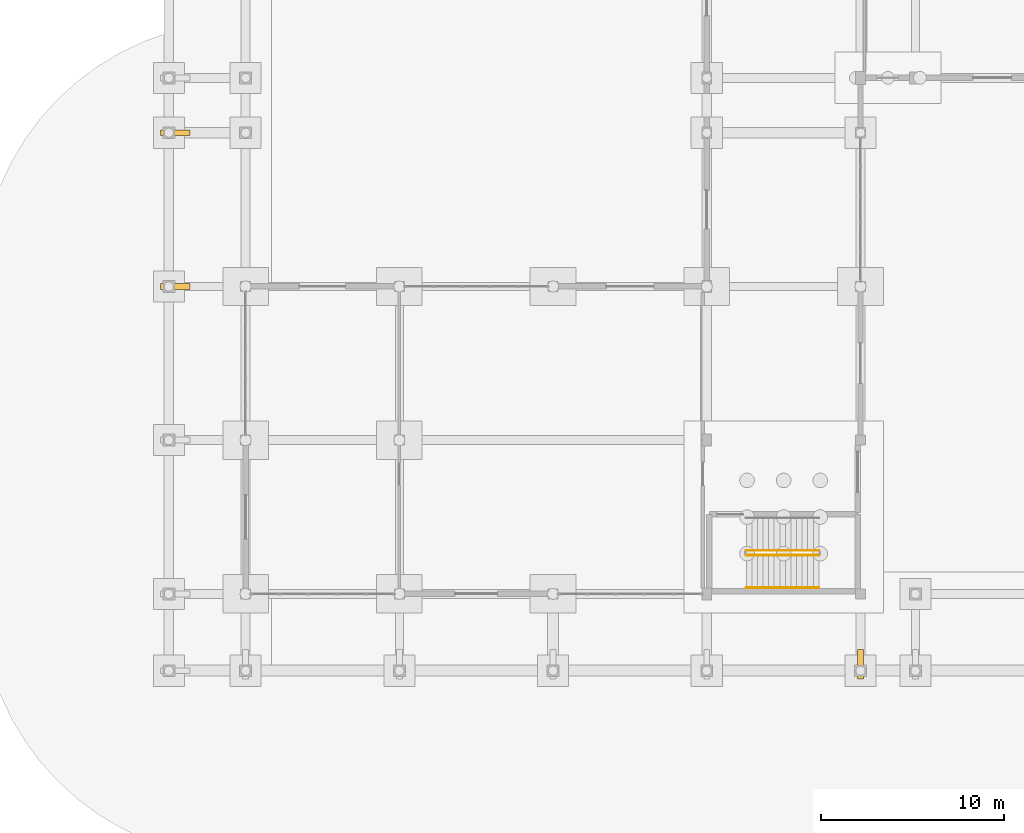
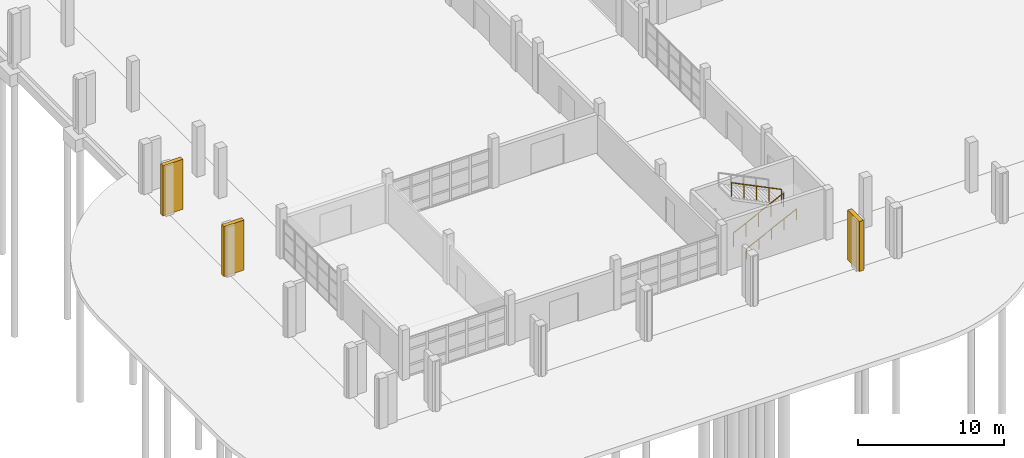
# One storey, part 70 of 88: 3 coverings, 3 railings.
"""IFC4 building model written with IfcOpenShell, lengths in metres."""

from ifc_helpers import new_model, si_unit, direction, frame, origin, origin_2d, place, context, subcontext, project, spatial, rectangle, circle, extrude, material, layer, layer_set, type_object, element, save


model = new_model("IFC4")

# Units and contexts
model_context = context("Model", 3, precision=1e-05, world=origin(), true_north=direction((0.0, 1.0)))
body_context = subcontext(model_context, "Body", "Model", "MODEL_VIEW")
ifc_project = project(units=[si_unit("LENGTHUNIT", "METRE"), si_unit("AREAUNIT", "SQUARE_METRE"), si_unit("VOLUMEUNIT", "CUBIC_METRE"), si_unit("PLANEANGLEUNIT", "RADIAN"), si_unit("MASSUNIT", "GRAM", prefix="KILO")], contexts=[model_context])

# Site, building, storey
site_placement = place(None, origin())
site = spatial("IfcSite", under=ifc_project, at=site_placement, CompositionType="ELEMENT")
building_placement = place(site_placement, origin())
building = spatial("IfcBuilding", under=site, at=building_placement, Name="Vanh Quang Courtyard School", CompositionType="ELEMENT")
storey_placement = place(building_placement, origin())
storey = spatial("IfcBuildingStorey", under=building, at=storey_placement, Name="L00", CompositionType="ELEMENT", Elevation=0.0)

# Coverings
ifc_material_1 = material(Name="Board-marked precast concrete C40/50", Category="concrete")
ifc_layer = layer(ifc_material_1, 0.239990234375)
ifc_layer_set = layer_set([ifc_layer], Name="Board-marked precast concrete C40/50")
covering_type = type_object("IfcCoveringType", Name="COV-HOOD-CONC", PredefinedType="CLADDING", material=ifc_layer_set)
for number, where, z_axis, x_axis, name in (
    (1, (0.35009765625, 21.0, 0.0), (0.0, 0.0, 1.0), (1.0, 0.0, 0.0), "Covering CH-01 (L00)"),
    (2, (0.35009765625, 29.39990234375, 0.0), (0.0, 0.0, 1.0), (1.0, 0.0, 0.0), "Covering CH-01 (L00)"),
    (3, (37.800048828125, 0.35009765625, 0.0), (0.0, 0.0, 1.0), (0.0, 1.0, 0.0), "Covering CH-01 (L00)"),
):
    element("IfcCovering", number, at=place(storey_placement, frame(where, z_axis=z_axis, x_axis=x_axis)), inside=storey, type_object=covering_type, Name=name, PredefinedType="CLADDING", context=body_context, shape_type="SweptSolid", body=[
        extrude(rectangle(XDim=1.60009765625, YDim=0.320068359375, at=origin_2d()), origin(), (0.0, 0.0, 1.0), 4.199951171875),
    ])

# Railings
ifc_material_2 = material(Name="Galvanised painted steel EN 10025-2 S355J2", Category="steel")
railing_type_1 = type_object("IfcRailingType", Name="RAIL-GUARD-1150", PredefinedType="BALUSTRADE", material=ifc_material_2)
railing_1_placement = place(storey_placement, frame((31.56005859375, 6.31005859375, 0.14990234375)))
element("IfcRailing", 4, at=railing_1_placement, inside=storey, type_object=railing_type_1, Name="L00 ST-06 stair guard 1", PredefinedType="BALUSTRADE", context=body_context, shape_type="SweptSolid", body=[
    extrude(circle(Radius=0.02392578125, at=origin_2d()), frame((0.0, 0.0, 1.1259765625), z_axis=(0.897325572143, 0.0, 0.441369253096), x_axis=(0.0, 1.0, 0.0)), (0.0, 0.0, 1.0), 4.41845703125),
    extrude(circle(Radius=0.02099609375, at=origin_2d()), origin(), (0.0, 0.0, 1.0), 1.101806640625),
    extrude(circle(Radius=0.02099609375, at=origin_2d()), frame((0.9912109375, 0.0, 0.487548828125)), (0.0, 0.0, 1.0), 1.101806640625),
    extrude(circle(Radius=0.02099609375, at=origin_2d()), frame((1.982421875, 0.0, 0.97509765625)), (0.0, 0.0, 1.0), 1.101806640625),
    extrude(circle(Radius=0.02099609375, at=origin_2d()), frame((2.9736328125, 0.0, 1.462646484375)), (0.0, 0.0, 1.0), 1.101806640625),
    extrude(circle(Radius=0.02099609375, at=origin_2d()), frame((3.96484375, 0.0, 1.9501953125)), (0.0, 0.0, 1.0), 1.101806640625),
])
railing_2_placement = place(storey_placement, frame((35.52490234375, 6.570068359375, 2.25)))
element("IfcRailing", 5, at=railing_2_placement, inside=storey, type_object=railing_type_1, Name="L00 ST-06 stair guard 3", PredefinedType="BALUSTRADE", context=body_context, shape_type="SweptSolid", body=[
    extrude(circle(Radius=0.02392578125, at=origin_2d()), frame((0.0, 0.0, 1.1259765625), z_axis=(-0.897347455041, 0.0, 0.441324761294), x_axis=(0.0, -1.0, 0.0)), (0.0, 0.0, 1.0), 4.41845703125),
    extrude(circle(Radius=0.02099609375, at=origin_2d()), origin(), (0.0, 0.0, 1.0), 1.101806640625),
    extrude(circle(Radius=0.02099609375, at=origin_2d()), frame((-0.9912109375, 0.0, 0.487548828125)), (0.0, 0.0, 1.0), 1.101806640625),
    extrude(circle(Radius=0.02099609375, at=origin_2d()), frame((-1.982421875, 0.0, 0.97509765625)), (0.0, 0.0, 1.0), 1.101806640625),
    extrude(circle(Radius=0.02099609375, at=origin_2d()), frame((-2.9736328125, 0.0, 1.46240234375)), (0.0, 0.0, 1.0), 1.101806640625),
    extrude(circle(Radius=0.02099609375, at=origin_2d()), frame((-3.96484375, 0.0, 1.949951171875)), (0.0, 0.0, 1.0), 1.101806640625),
])
ifc_material_3 = material(Name="Brushed stainless steel", Category="steel")
railing_type_2 = type_object("IfcRailingType", Name="RAIL-HAND-900", PredefinedType="HANDRAIL", material=ifc_material_3)
railing_3_placement = place(storey_placement, frame((31.56005859375, 4.530029296875, 0.14990234375)))
element("IfcRailing", 6, at=railing_3_placement, inside=storey, type_object=railing_type_2, Name="L00 ST-06 stair handrail 1", PredefinedType="HANDRAIL", context=body_context, shape_type="SweptSolid", body=[
    extrude(circle(Radius=0.02392578125, at=origin_2d()), frame((0.0, 0.0, 0.8759765625), z_axis=(0.897325572143, 0.0, 0.441369253096), x_axis=(0.0, 1.0, 0.0)), (0.0, 0.0, 1.0), 4.41845703125),
    extrude(circle(Radius=0.02099609375, at=origin_2d()), origin(), (0.0, 0.0, 1.0), 0.851806640625),
    extrude(circle(Radius=0.02099609375, at=origin_2d()), frame((0.9912109375, 0.0, 0.487548828125)), (0.0, 0.0, 1.0), 0.851806640625),
    extrude(circle(Radius=0.02099609375, at=origin_2d()), frame((1.982421875, 0.0, 0.97509765625)), (0.0, 0.0, 1.0), 0.851806640625),
    extrude(circle(Radius=0.02099609375, at=origin_2d()), frame((2.9736328125, 0.0, 1.462646484375)), (0.0, 0.0, 1.0), 0.851806640625),
    extrude(circle(Radius=0.02099609375, at=origin_2d()), frame((3.96484375, 0.0, 1.9501953125)), (0.0, 0.0, 1.0), 0.851806640625),
])

save(model, "model.ifc")
